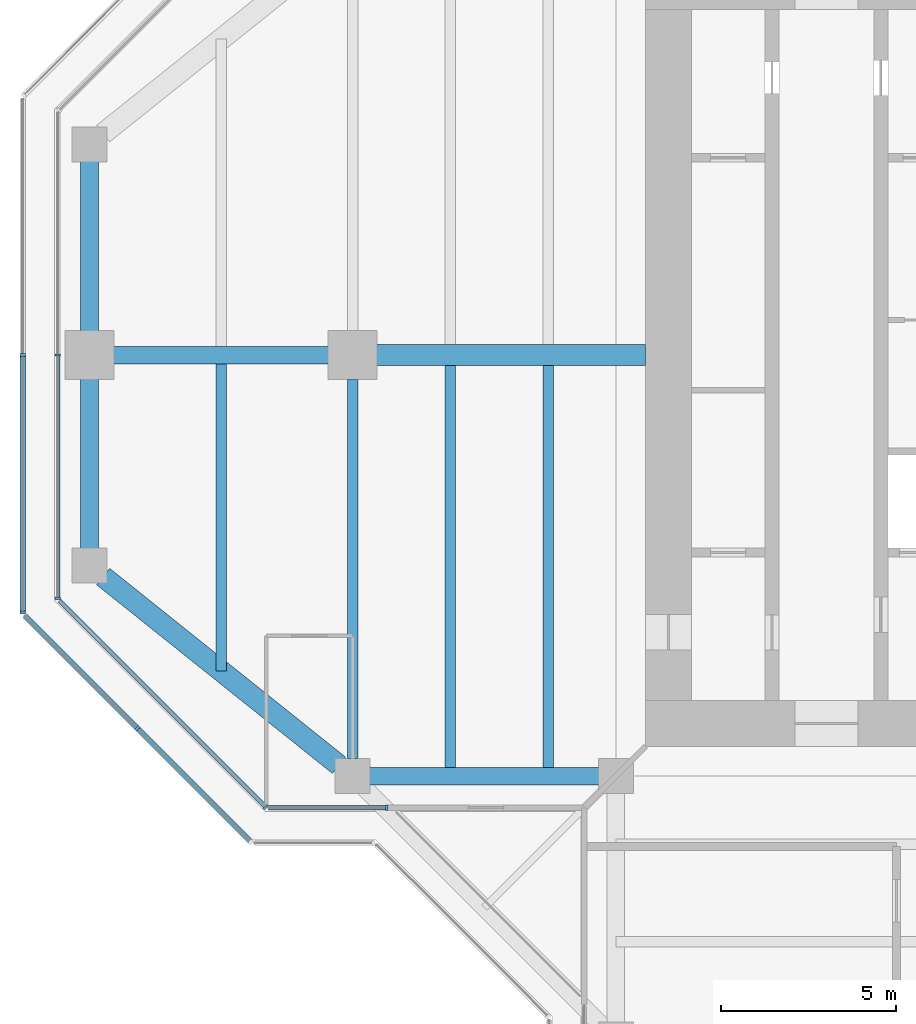
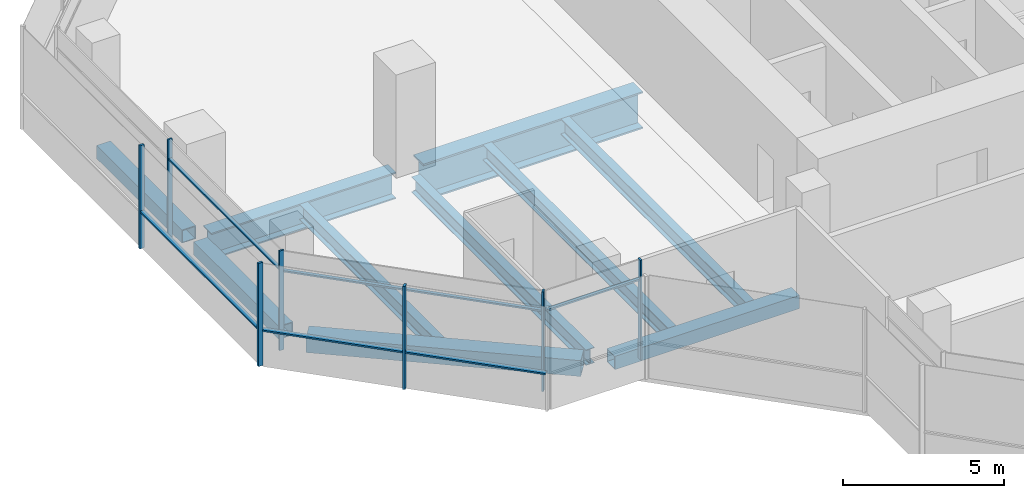
# One storey, part 3 of 15: 13 members, 10 beams, 5 elements without a shape of their own.
"""IFC4 building model written with IfcOpenShell, lengths in metres."""

from ifc_helpers import new_model, si_unit, direction, frame, origin, origin_2d, place, context, subcontext, project, spatial, rectangle, hollow_rectangle, i_section, extrude, material, material_profile, profile_set, type_object, element, aggregate, save


model = new_model("IFC4")

# Units and contexts
model_context = context("Model", 3, precision=1e-05, world=origin(), true_north=direction((0.0, 1.0)))
body_context = subcontext(model_context, "Body", "Model", "MODEL_VIEW")
ifc_project = project(units=[si_unit("LENGTHUNIT", "METRE"), si_unit("AREAUNIT", "SQUARE_METRE"), si_unit("VOLUMEUNIT", "CUBIC_METRE"), si_unit("PLANEANGLEUNIT", "RADIAN"), si_unit("MASSUNIT", "GRAM", prefix="KILO")], contexts=[model_context])

# Site, building, storey
site_placement = place(None, origin())
site = spatial("IfcSite", under=ifc_project, at=site_placement, CompositionType="ELEMENT")
building_placement = place(site_placement, origin())
building = spatial("IfcBuilding", under=site, at=building_placement, Name="Mizan Broadcast Tower", CompositionType="ELEMENT")
storey_placement = place(building_placement, frame((0.0, 0.0, 279.0)))
storey = spatial("IfcBuildingStorey", under=building, at=storey_placement, Name="L66", CompositionType="ELEMENT", Elevation=279.0)

# Beams
ifc_material_1 = material(Name="Steel S355", Category="steel")
ifc_material_profile_1 = material_profile(ifc_material_1, hollow_rectangle(XDim=0.5, YDim=0.5, WallThickness=0.030029296875, at=origin_2d()), Name="BOX 500x500x30")
ifc_profile_set_1 = profile_set([ifc_material_profile_1], Name="Steel S355")
beam_type_1 = type_object("IfcBeamType", Name="EDGE BEAM BOX 500x500x30", PredefinedType="SPANDREL", material=ifc_profile_set_1)
beam_1_placement = place(storey_placement, frame((-27.0, 5.639892578125, -0.3798828125), z_axis=(0.0, -1.0, 0.0), x_axis=(1.0, 0.0, 0.0)))
element("IfcBeam", 1, at=beam_1_placement, inside=storey, type_object=beam_type_1, Name="Edge beam BOX 500x500x30 L66 west arm", PredefinedType="SPANDREL", context=body_context, shape_type="SweptSolid", body=[
    extrude(hollow_rectangle(XDim=0.5, YDim=0.5, WallThickness=0.030029296875, at=origin_2d()), origin(), (0.0, 0.0, 1.0), 5.27978515625),
])
beam_2_placement = place(storey_placement, frame((-12.449951171875, -12.0, -0.3798828125), z_axis=(-1.0, 0.0, 0.0), x_axis=(0.0, -1.0, 0.0)))
element("IfcBeam", 2, at=beam_2_placement, inside=storey, type_object=beam_type_1, Name="Edge beam BOX 500x500x30 L66 west arm", PredefinedType="SPANDREL", context=body_context, shape_type="SweptSolid", body=[
    extrude(hollow_rectangle(XDim=0.5, YDim=0.5, WallThickness=0.030029296875, at=origin_2d()), origin(), (0.0, 0.0, 1.0), 6.60009765625),
])
beam_3_placement = place(storey_placement, frame((-27.0, -5.639892578125, -0.3798828125), z_axis=(0.0, 1.0, 0.0), x_axis=(-1.0, 0.0, 0.0)))
element("IfcBeam", 3, at=beam_3_placement, inside=storey, type_object=beam_type_1, Name="Edge beam BOX 500x500x30 L66 west arm", PredefinedType="SPANDREL", context=body_context, shape_type="SweptSolid", body=[
    extrude(hollow_rectangle(XDim=0.5, YDim=0.5, WallThickness=0.030029296875, at=origin_2d()), origin(), (0.0, 0.0, 1.0), 5.27978515625),
])
ifc_material_2 = material(Name="Steel S355", Category="steel")
ifc_material_profile_2 = material_profile(ifc_material_2, hollow_rectangle(XDim=0.60009765625, YDim=0.60009765625, WallThickness=0.030029296875, at=origin_2d()), Name="BOX 600x600x30")
ifc_profile_set_2 = profile_set([ifc_material_profile_2], Name="Steel S355")
beam_type_2 = type_object("IfcBeamType", Name="EDGE BEAM BOX 600x600x30", PredefinedType="SPANDREL", material=ifc_profile_set_2)
beam_4_placement = place(storey_placement, frame((-19.890380859375, -11.687744140625, -0.429931640625), z_axis=(-0.780863273348, 0.62470196761, 0.0), x_axis=(-0.62470196761, -0.780863273348, 0.0)))
element("IfcBeam", 4, at=beam_4_placement, inside=storey, type_object=beam_type_2, Name="Edge beam BOX 600x600x30 L66 west arm", PredefinedType="SPANDREL", context=body_context, shape_type="SweptSolid", body=[
    extrude(hollow_rectangle(XDim=0.60009765625, YDim=0.60009765625, WallThickness=0.030029296875, at=origin_2d()), origin(), (0.0, 0.0, 1.0), 8.60498046875),
])
ifc_material_3 = material(Name="Steel S355", Category="steel")
ifc_material_profile_3 = material_profile(ifc_material_3, i_section(OverallWidth=0.300048828125, OverallDepth=0.590087890625, WebThickness=0.012939453125, FlangeThickness=0.02490234375, FilletRadius=0.027099609375, at=origin_2d()), Name="HEA 600")
ifc_profile_set_3 = profile_set([ifc_material_profile_3], Name="Steel S355")
beam_type_3 = type_object("IfcBeamType", Name="GIRDER HEA 600", PredefinedType="BEAM", material=ifc_profile_set_3)
beam_5_placement = place(storey_placement, frame((-19.5, -11.5, -0.425048828125), z_axis=(0.0, 1.0, 0.0), x_axis=(-1.0, 0.0, 0.0)))
element("IfcBeam", 5, at=beam_5_placement, inside=storey, type_object=beam_type_3, Name="Girder HEA 600 L66 west arm", PredefinedType="BEAM", context=body_context, shape_type="SweptSolid", body=[
    extrude(i_section(OverallWidth=0.300048828125, OverallDepth=0.590087890625, WebThickness=0.012939453125, FlangeThickness=0.02490234375, FilletRadius=0.027099609375, at=origin_2d()), origin(), (0.0, 0.0, 1.0), 10.800048828125),
])
ifc_material_4 = material(Name="Steel S460", Category="steel")
ifc_material_profile_4 = material_profile(ifc_material_4, i_section(OverallWidth=0.5, OverallDepth=1.0, WebThickness=0.02490234375, FlangeThickness=0.050048828125, at=origin_2d()), Name="WPG 1000x500")
ifc_profile_set_4 = profile_set([ifc_material_profile_4], Name="Steel S460")
beam_type_4 = type_object("IfcBeamType", Name="GIRDER WPG 1000x500", PredefinedType="BEAM", material=ifc_profile_set_4)
beam_6_placement = place(storey_placement, frame((-19.949951171875, 0.0, -0.6298828125), z_axis=(-1.0, 0.0, 0.0), x_axis=(0.0, -1.0, 0.0)))
element("IfcBeam", 6, at=beam_6_placement, inside=storey, type_object=beam_type_4, Name="Girder WPG 1000x500 L66 west arm", PredefinedType="BEAM", context=body_context, shape_type="SweptSolid", body=[
    extrude(i_section(OverallWidth=0.5, OverallDepth=1.0, WebThickness=0.02490234375, FlangeThickness=0.050048828125, at=origin_2d()), origin(), (0.0, 0.0, 1.0), 6.60009765625),
])
ifc_material_5 = material(Name="Steel S460", Category="steel")
ifc_material_profile_5 = material_profile(ifc_material_5, i_section(OverallWidth=0.60009765625, OverallDepth=1.39990234375, WebThickness=0.02490234375, FlangeThickness=0.06005859375, at=origin_2d()), Name="WPG 1400x600")
ifc_profile_set_5 = profile_set([ifc_material_profile_5], Name="Steel S460")
beam_type_5 = type_object("IfcBeamType", Name="GIRDER WPG 1400x600", PredefinedType="BEAM", material=ifc_profile_set_5)
beam_7_placement = place(storey_placement, frame((-11.14990234375, 0.0, -0.830078125), z_axis=(-1.0, 0.0, 0.0), x_axis=(0.0, -1.0, 0.0)))
element("IfcBeam", 7, at=beam_7_placement, inside=storey, type_object=beam_type_5, Name="Girder WPG 1400x600 L66 west arm", PredefinedType="BEAM", context=body_context, shape_type="SweptSolid", body=[
    extrude(i_section(OverallWidth=0.60009765625, OverallDepth=1.39990234375, WebThickness=0.02490234375, FlangeThickness=0.06005859375, at=origin_2d()), origin(), (0.0, 0.0, 1.0), 7.84912109375),
])

# Curtain wall, members
ifc_material_6 = material(Name="Aluminium framed glazing", Category="aluminium")
curtain_wall_type_1 = type_object("IfcCurtainWallType", Name="INNER SKIN TOP ZONE", PredefinedType="USERDEFINED", material=ifc_material_6)
curtain_wall_1_placement = place(storey_placement, origin())
curtain_wall_1 = element("IfcCurtainWall", 8, at=curtain_wall_1_placement, inside=storey, type_object=curtain_wall_type_1, Name="Inner skin top zone L66 W end", ObjectType="INNER SKIN TOP ZONE", PredefinedType="USERDEFINED")
ifc_material_7 = material(Name="Aluminium, pale anodised", Category="aluminium")
ifc_material_profile_6 = material_profile(ifc_material_7, rectangle(XDim=0.159912109375, YDim=0.06005859375, at=origin_2d()), Name="MULLION 160x60")
ifc_profile_set_6 = profile_set([ifc_material_profile_6], Name="Aluminium, pale anodised")
member_type_1 = type_object("IfcMemberType", Name="INNER SKIN MULLION 60x160", PredefinedType="MULLION", material=ifc_profile_set_6)
member_1_placement = place(storey_placement, frame((-27.89990234375, 0.0, 0.0), z_axis=(0.0, 0.0, 1.0), x_axis=(1.0, 0.0, 0.0)))
member_1 = element("IfcMember", 9, at=member_1_placement, type_object=member_type_1, Name="Inner skin top zone L66 W end mullion 2", PredefinedType="MULLION", context=body_context, shape_type="SweptSolid", body=[
    extrude(rectangle(XDim=0.159912109375, YDim=0.06005859375, at=origin_2d()), origin(), (0.0, 0.0, 1.0), 3.77001953125),
])
member_2_placement = place(storey_placement, frame((-27.89990234375, -6.928466796875, 0.0), z_axis=(0.0, 0.0, 1.0), x_axis=(1.0, 0.0, 0.0)))
member_2 = element("IfcMember", 10, at=member_2_placement, type_object=member_type_1, Name="Inner skin top zone L66 W end mullion 3", PredefinedType="MULLION", context=body_context, shape_type="SweptSolid", body=[
    extrude(rectangle(XDim=0.159912109375, YDim=0.06005859375, at=origin_2d()), origin(), (0.0, 0.0, 1.0), 3.77001953125),
])

# Curtain wall, member
curtain_wall_2_placement = place(storey_placement, origin())
curtain_wall_2 = element("IfcCurtainWall", 11, at=curtain_wall_2_placement, inside=storey, type_object=curtain_wall_type_1, Name="Inner skin top zone L66 W chamfer", ObjectType="INNER SKIN TOP ZONE", PredefinedType="USERDEFINED")
member_3_placement = place(storey_placement, frame((-21.979736328125, -12.87890625, 0.0), z_axis=(0.0, 0.0, 1.0), x_axis=(0.707106781187, 0.707106781187, 0.0)))
member_3 = element("IfcMember", 12, at=member_3_placement, type_object=member_type_1, Name="Inner skin top zone L66 W chamfer mullion 2", PredefinedType="MULLION", context=body_context, shape_type="SweptSolid", body=[
    extrude(rectangle(XDim=0.159912109375, YDim=0.06005859375, at=origin_2d()), origin(), (0.0, 0.0, 1.0), 3.77001953125),
])

curtain_wall_3_placement = place(storey_placement, origin())
curtain_wall_3 = element("IfcCurtainWall", 13, at=curtain_wall_3_placement, inside=storey, type_object=curtain_wall_type_1, Name="Inner skin top zone L66 W side", ObjectType="INNER SKIN TOP ZONE", PredefinedType="USERDEFINED")
member_4_placement = place(storey_placement, frame((-18.530029296875, -12.89990234375, 0.0), z_axis=(0.0, 0.0, 1.0), x_axis=(0.0, 1.0, 0.0)))
member_4 = element("IfcMember", 14, at=member_4_placement, type_object=member_type_1, Name="Inner skin top zone L66 W side mullion 2", PredefinedType="MULLION", context=body_context, shape_type="SweptSolid", body=[
    extrude(rectangle(XDim=0.159912109375, YDim=0.06005859375, at=origin_2d()), origin(), (0.0, 0.0, 1.0), 3.77001953125),
])

# Member
ifc_material_8 = material(Name="Aluminium, pale anodised", Category="aluminium")
ifc_material_profile_7 = material_profile(ifc_material_8, rectangle(XDim=0.1201171875, YDim=0.06005859375, at=origin_2d()), Name="TRANSOM 120x60")
ifc_profile_set_7 = profile_set([ifc_material_profile_7], Name="Aluminium, pale anodised")
member_type_2 = type_object("IfcMemberType", Name="INNER SKIN TRANSOM 60x120", PredefinedType="USERDEFINED", material=ifc_profile_set_7)
member_5_placement = place(storey_placement, frame((-27.89990234375, -0.030029296875, 3.030029296875), z_axis=(0.0, -1.0, 0.0), x_axis=(1.0, 0.0, 0.0)))
member_5 = element("IfcMember", 15, at=member_5_placement, type_object=member_type_2, Name="Inner skin top zone L66 W end transom 2.1", ObjectType="TRANSOM", PredefinedType="USERDEFINED", context=body_context, shape_type="SweptSolid", body=[
    extrude(rectangle(XDim=0.1201171875, YDim=0.06005859375, at=origin_2d()), origin(), (0.0, 0.0, 1.0), 6.86865234375),
])

aggregate(curtain_wall_1, [member_1, member_2, member_5])

member_6_placement = place(storey_placement, frame((-27.857666015625, -7.0009765625, 3.030029296875), z_axis=(0.707106781187, -0.707106781187, 0.0), x_axis=(0.707106781187, 0.707106781187, 0.0)))
member_6 = element("IfcMember", 16, at=member_6_placement, type_object=member_type_2, Name="Inner skin top zone L66 W chamfer transom 1.1", ObjectType="TRANSOM", PredefinedType="USERDEFINED", context=body_context, shape_type="SweptSolid", body=[
    extrude(rectangle(XDim=0.1201171875, YDim=0.06005859375, at=origin_2d()), origin(), (0.0, 0.0, 1.0), 8.28271484375),
])

aggregate(curtain_wall_2, [member_3, member_6])

member_7_placement = place(storey_placement, frame((-21.898681640625, -12.89990234375, 3.030029296875), z_axis=(1.0, 0.0, 0.0), x_axis=(0.0, 1.0, 0.0)))
member_7 = element("IfcMember", 17, at=member_7_placement, type_object=member_type_2, Name="Inner skin top zone L66 W side transom 1.1", ObjectType="TRANSOM", PredefinedType="USERDEFINED", context=body_context, shape_type="SweptSolid", body=[
    extrude(rectangle(XDim=0.1201171875, YDim=0.06005859375, at=origin_2d()), origin(), (0.0, 0.0, 1.0), 3.338623046875),
])

aggregate(curtain_wall_3, [member_4, member_7])

# Curtain wall, member
ifc_material_9 = material(Name="Aluminium framed glazing", Category="aluminium")
curtain_wall_type_2 = type_object("IfcCurtainWallType", Name="OUTER SKIN", PredefinedType="USERDEFINED", material=ifc_material_9)
curtain_wall_4_placement = place(storey_placement, origin())
curtain_wall_4 = element("IfcCurtainWall", 18, at=curtain_wall_4_placement, inside=storey, type_object=curtain_wall_type_2, Name="Outer skin L66 W chamfer", ObjectType="OUTER SKIN", PredefinedType="USERDEFINED")
ifc_material_10 = material(Name="Aluminium, pale anodised", Category="aluminium")
ifc_material_profile_8 = material_profile(ifc_material_10, rectangle(XDim=0.159912109375, YDim=0.080078125, at=origin_2d()), Name="MULLION 160x80")
ifc_profile_set_8 = profile_set([ifc_material_profile_8], Name="Aluminium, pale anodised")
member_type_3 = type_object("IfcMemberType", Name="OUTER SKIN MULLION 80x160", PredefinedType="MULLION", material=ifc_profile_set_8)
member_8_placement = place(storey_placement, frame((-25.636474609375, -10.636474609375, 0.0), z_axis=(0.0, 0.0, 1.0), x_axis=(0.707106781187, 0.707106781187, 0.0)))
member_8 = element("IfcMember", 19, at=member_8_placement, type_object=member_type_3, Name="Outer skin L66 W chamfer mullion 2", PredefinedType="MULLION", context=body_context, shape_type="SweptSolid", body=[
    extrude(rectangle(XDim=0.159912109375, YDim=0.080078125, at=origin_2d()), origin(), (0.0, 0.0, 1.0), 3.89990234375),
])

# Curtain wall, members
curtain_wall_5_placement = place(storey_placement, origin())
curtain_wall_5 = element("IfcCurtainWall", 20, at=curtain_wall_5_placement, inside=storey, type_object=curtain_wall_type_2, Name="Outer skin L66 W end", ObjectType="OUTER SKIN", PredefinedType="USERDEFINED")
member_9_placement = place(storey_placement, frame((-28.89990234375, 0.0, 0.0), z_axis=(0.0, 0.0, 1.0), x_axis=(1.0, 0.0, 0.0)))
member_9 = element("IfcMember", 21, at=member_9_placement, type_object=member_type_3, Name="Outer skin L66 W end mullion 2", PredefinedType="MULLION", context=body_context, shape_type="SweptSolid", body=[
    extrude(rectangle(XDim=0.159912109375, YDim=0.080078125, at=origin_2d()), origin(), (0.0, 0.0, 1.0), 3.89990234375),
])
member_10_placement = place(storey_placement, frame((-28.89990234375, -7.332763671875, 0.0), z_axis=(0.0, 0.0, 1.0), x_axis=(1.0, 0.0, 0.0)))
member_10 = element("IfcMember", 22, at=member_10_placement, type_object=member_type_3, Name="Outer skin L66 W end mullion 3", PredefinedType="MULLION", context=body_context, shape_type="SweptSolid", body=[
    extrude(rectangle(XDim=0.159912109375, YDim=0.080078125, at=origin_2d()), origin(), (0.0, 0.0, 1.0), 3.89990234375),
])

# Member
ifc_material_11 = material(Name="Aluminium, pale anodised", Category="aluminium")
ifc_material_profile_9 = material_profile(ifc_material_11, rectangle(XDim=0.159912109375, YDim=0.06005859375, at=origin_2d()), Name="TRANSOM 160x60")
ifc_profile_set_9 = profile_set([ifc_material_profile_9], Name="Aluminium, pale anodised")
member_type_4 = type_object("IfcMemberType", Name="OUTER SKIN TRANSOM 60x160", PredefinedType="USERDEFINED", material=ifc_profile_set_9)
member_11_placement = place(storey_placement, frame((-28.843505859375, -7.429443359375, 1.39990234375), z_axis=(0.707106781187, -0.707106781187, 0.0), x_axis=(0.707106781187, 0.707106781187, 0.0)))
member_11 = element("IfcMember", 23, at=member_11_placement, type_object=member_type_4, Name="Outer skin L66 W chamfer transom 1.1", ObjectType="TRANSOM", PredefinedType="USERDEFINED", context=body_context, shape_type="SweptSolid", body=[
    extrude(rectangle(XDim=0.159912109375, YDim=0.06005859375, at=origin_2d()), origin(), (0.0, 0.0, 1.0), 4.495361328125),
])

member_12_placement = place(storey_placement, frame((-25.608154296875, -10.664794921875, 1.39990234375), z_axis=(0.707106781187, -0.707106781187, 0.0), x_axis=(0.707106781187, 0.707106781187, 0.0)))
member_12 = element("IfcMember", 24, at=member_12_placement, type_object=member_type_4, Name="Outer skin L66 W chamfer transom 2.1", ObjectType="TRANSOM", PredefinedType="USERDEFINED", context=body_context, shape_type="SweptSolid", body=[
    extrude(rectangle(XDim=0.159912109375, YDim=0.06005859375, at=origin_2d()), origin(), (0.0, 0.0, 1.0), 4.495361328125),
])

aggregate(curtain_wall_4, [member_8, member_11, member_12])

member_13_placement = place(storey_placement, frame((-28.89990234375, -0.0400390625, 1.39990234375), z_axis=(0.0, -1.0, 0.0), x_axis=(1.0, 0.0, 0.0)))
member_13 = element("IfcMember", 25, at=member_13_placement, type_object=member_type_4, Name="Outer skin L66 W end transom 2.1", ObjectType="TRANSOM", PredefinedType="USERDEFINED", context=body_context, shape_type="SweptSolid", body=[
    extrude(rectangle(XDim=0.159912109375, YDim=0.06005859375, at=origin_2d()), origin(), (0.0, 0.0, 1.0), 7.252685546875),
])

aggregate(curtain_wall_5, [member_9, member_10, member_13])

# Beams
ifc_material_12 = material(Name="Steel S355", Category="steel")
ifc_material_profile_10 = material_profile(ifc_material_12, i_section(OverallWidth=0.300048828125, OverallDepth=0.590087890625, WebThickness=0.012939453125, FlangeThickness=0.02490234375, FilletRadius=0.027099609375, at=origin_2d()), Name="HEA 600")
ifc_profile_set_10 = profile_set([ifc_material_profile_10], Name="Steel S355")
beam_type_6 = type_object("IfcBeamType", Name="SECONDARY BEAM HEA 600", PredefinedType="JOIST", material=ifc_profile_set_10)
for number, where, z_axis, x_axis, name in (
    (26, (-13.933349609375, -12.0, -0.425048828125), (0.0, 1.0, 0.0), (-1.0, 0.0, 0.0), "Secondary beam HEA 600 L66 west arm"),
    (27, (-16.716552734375, -12.0, -0.425048828125), (0.0, 1.0, 0.0), (-1.0, 0.0, 0.0), "Secondary beam HEA 600 L66 west arm"),
):
    element("IfcBeam", number, at=place(storey_placement, frame(where, z_axis=z_axis, x_axis=x_axis)), inside=storey, type_object=beam_type_6, Name=name, PredefinedType="JOIST", context=body_context, shape_type="SweptSolid", body=[
        extrude(i_section(OverallWidth=0.300048828125, OverallDepth=0.590087890625, WebThickness=0.012939453125, FlangeThickness=0.02490234375, FilletRadius=0.027099609375, at=origin_2d()), origin(), (0.0, 0.0, 1.0), 11.699951171875),
    ])
beam_8_placement = place(storey_placement, frame((-23.25, -9.0, -0.425048828125), z_axis=(0.0, 1.0, 0.0), x_axis=(-1.0, 0.0, 0.0)))
element("IfcBeam", 28, at=beam_8_placement, inside=storey, type_object=beam_type_6, Name="Secondary beam HEA 600 L66 west arm", PredefinedType="JOIST", context=body_context, shape_type="SweptSolid", body=[
    extrude(i_section(OverallWidth=0.300048828125, OverallDepth=0.590087890625, WebThickness=0.012939453125, FlangeThickness=0.02490234375, FilletRadius=0.027099609375, at=origin_2d()), origin(), (0.0, 0.0, 1.0), 8.75),
])

save(model, "model.ifc")
